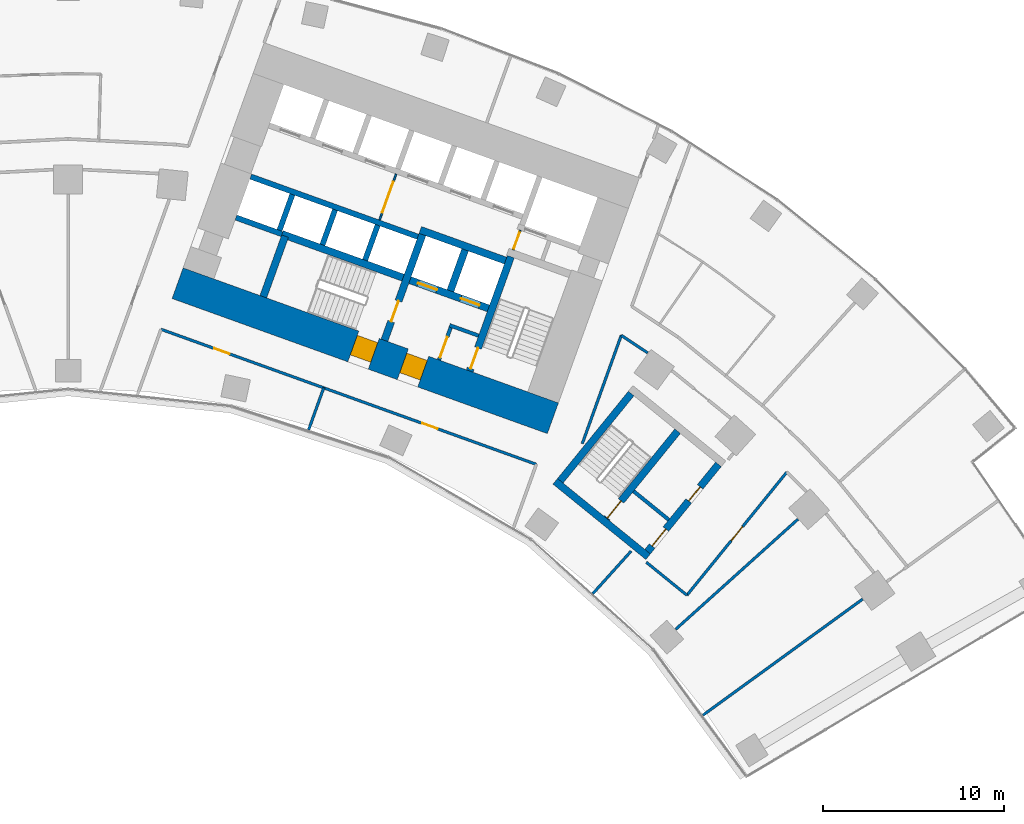
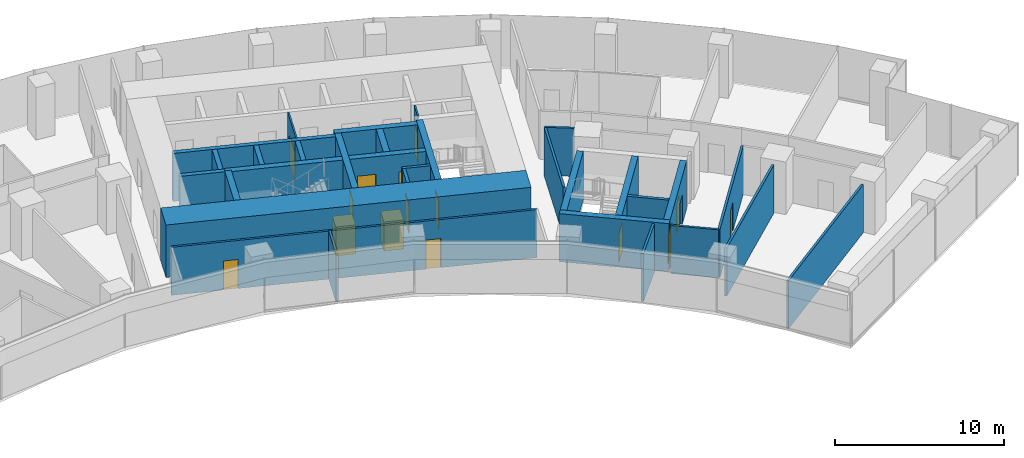
# One storey, part 17 of 21: 31 walls, 15 doors, 15 openings.
"""IFC4 building model written with IfcOpenShell, lengths in metres."""

from ifc_helpers import new_model, si_unit, direction, frame, frame_2d, origin, place, context, subcontext, project, spatial, rectangle, extrude, material, layer, layer_set, type_object, element, fill, save


model = new_model("IFC4")

# Units and contexts
model_context = context("Model", 3, precision=1e-05, world=origin(), true_north=direction((0.0, 1.0)))
body_context = subcontext(model_context, "Body", "Model", "MODEL_VIEW")
ifc_project = project(units=[si_unit("LENGTHUNIT", "METRE"), si_unit("AREAUNIT", "SQUARE_METRE"), si_unit("VOLUMEUNIT", "CUBIC_METRE"), si_unit("PLANEANGLEUNIT", "RADIAN"), si_unit("MASSUNIT", "GRAM", prefix="KILO")], contexts=[model_context])

# Site, building, storey
site_placement = place(None, origin())
site = spatial("IfcSite", under=ifc_project, at=site_placement, CompositionType="ELEMENT")
building_placement = place(site_placement, origin())
building = spatial("IfcBuilding", under=site, at=building_placement, Name="Stone Belt Terrace Tower", CompositionType="ELEMENT")
storey_placement = place(building_placement, frame((0.0, 0.0, 37.60009765625)))
storey = spatial("IfcBuildingStorey", under=building, at=storey_placement, Name="L08", CompositionType="ELEMENT", Elevation=37.60009765625)

# Wall, opening, door
ifc_material_1 = material(Name="Plasterboard partition")
ifc_layer_1 = layer(ifc_material_1, 0.10009765625)
ifc_layer_set_1 = layer_set([ifc_layer_1], Name="Core partition 100")
wall_type_1 = type_object("IfcWallType", Name="Core partition 100", PredefinedType="PARTITIONING", material=ifc_layer_set_1)
wall_1_placement = place(storey_placement, frame((24.555908203125, 51.10400390625, 0.0), z_axis=(0.0, 0.0, 1.0), x_axis=(0.338621735342, 0.94092258999, 0.0)))
wall_1 = element("IfcWall", 1, at=wall_1_placement, inside=storey, type_object=wall_type_1, Name="Core B wall", PredefinedType="PARTITIONING", context=body_context, shape_type="SweptSolid", body=[
    extrude(rectangle(XDim=1.14990234375, YDim=0.10009765625, at=frame_2d((0.574951171875, 0.0))), origin(), (0.0, 0.0, 1.0), 3.47998046875),
])
opening_1_placement = place(wall_1_placement, frame((0.050048828125, 0.0, 0.0)))
opening_1 = element("IfcOpeningElement", 2, at=opening_1_placement, cuts=wall_1, Name="Opening L08-C12", PredefinedType="OPENING", context=body_context, shape_type="SweptSolid", body=[
    extrude(rectangle(XDim=1.0, YDim=2.10009765625, at=frame_2d((0.5, 1.050048828125))), frame((0.0, 0.06005859375, 0.0), z_axis=(0.0, -1.0, 0.0), x_axis=(1.0, 0.0, 0.0)), (0.0, 0.0, 1.0), 0.1201171875),
])
ifc_material_2 = material(Name="Timber door leaf", Category="wood")
door_type_1 = type_object("IfcDoorType", Name="Core room door 1000", OperationType="SINGLE_SWING_LEFT", PredefinedType="DOOR", material=ifc_material_2)
door_1_placement = place(opening_1_placement, origin())
door_1 = element("IfcDoor", 3, at=door_1_placement, inside=storey, type_object=door_type_1, Name="Service lift lobby door core B", OperationType="SINGLE_SWING_RIGHT", OverallHeight=2.10009765625, OverallWidth=1.0, PredefinedType="DOOR", context=body_context, shape_type="SweptSolid", body=[
    extrude(rectangle(XDim=1.0, YDim=2.10009765625, at=frame_2d((0.5, 1.050048828125))), frame((0.0, 0.02490234375, 0.0), z_axis=(0.0, -1.0, 0.0), x_axis=(1.0, 0.0, 0.0)), (0.0, 0.0, 1.0), 0.050048828125),
])
fill(opening_1, door_1)

wall_2_placement = place(storey_placement, frame((17.17724609375, 52.749755859375, 0.0), z_axis=(0.0, 0.0, 1.0), x_axis=(0.338546555931, 0.940949642365, 0.0)))
wall_2 = element("IfcWall", 4, at=wall_2_placement, inside=storey, type_object=wall_type_1, Name="Core B wall", PredefinedType="PARTITIONING", context=body_context, shape_type="SweptSolid", body=[
    extrude(rectangle(XDim=2.699951171875, YDim=0.10009765625, at=frame_2d((1.35009765625, 0.0))), origin(), (0.0, 0.0, 1.0), 3.47998046875),
])
opening_2_placement = place(wall_2_placement, frame((0.449951171875, 0.0, 0.0)))
opening_2 = element("IfcOpeningElement", 5, at=opening_2_placement, cuts=wall_2, Name="Opening L08-C13", PredefinedType="OPENING", context=body_context, shape_type="SweptSolid", body=[
    extrude(rectangle(XDim=1.800048828125, YDim=2.10009765625, at=frame_2d((0.89990234375, 1.050048828125))), frame((0.0, 0.06005859375, 0.0), z_axis=(0.0, -1.0, 0.0), x_axis=(1.0, 0.0, 0.0)), (0.0, 0.0, 1.0), 0.1201171875),
])
ifc_material_3 = material(Name="Glazed aluminium door leaf", Category="aluminium")
door_type_2 = type_object("IfcDoorType", Name="Lift lobby entrance door 1800", OperationType="DOUBLE_DOOR_SINGLE_SWING", PredefinedType="DOOR", material=ifc_material_3)
door_2_placement = place(opening_2_placement, origin())
door_2 = element("IfcDoor", 6, at=door_2_placement, inside=storey, type_object=door_type_2, Name="Lift lobby double door core B", OperationType="DOUBLE_DOOR_SINGLE_SWING", OverallHeight=2.10009765625, OverallWidth=1.800048828125, PredefinedType="DOOR", context=body_context, shape_type="SweptSolid", body=[
    extrude(rectangle(XDim=1.800048828125, YDim=2.10009765625, at=frame_2d((0.89990234375, 1.050048828125))), frame((0.0, 0.02490234375, 0.0), z_axis=(0.0, -1.0, 0.0), x_axis=(1.0, 0.0, 0.0)), (0.0, 0.0, 1.0), 0.050048828125),
])
fill(opening_2, door_2)

# Wall, openings, doors
ifc_material_4 = material(Name="Concrete B80", Category="concrete")
ifc_layer_2 = layer(ifc_material_4, 1.800048828125)
ifc_layer_set_2 = layer_set([ifc_layer_2], Name="Core wall 1800 B80")
wall_type_2 = type_object("IfcWallType", Name="Core wall 1800 B80", PredefinedType="SHEAR", material=ifc_layer_set_2)
wall_3_placement = place(storey_placement, frame((6.039306640625, 49.265380859375, 0.0), z_axis=(0.0, 0.0, 1.0), x_axis=(0.940921642213, -0.338624368902, 0.0)))
wall_3 = element("IfcWall", 7, at=wall_3_placement, inside=storey, type_object=wall_type_2, Name="Core B wall concave L08", PredefinedType="SHEAR", context=body_context, shape_type="SweptSolid", body=[
    extrude(rectangle(XDim=22.0, YDim=1.800048828125, at=frame_2d((11.0, 0.0))), origin(), (0.0, 0.0, 1.0), 3.7998046875),
])
opening_3_placement = place(wall_3_placement, frame((13.199951171875, 0.0, 0.0)))
opening_3 = element("IfcOpeningElement", 8, at=opening_3_placement, cuts=wall_3, Name="Opening L08-C17", PredefinedType="OPENING", context=body_context, shape_type="SweptSolid", body=[
    extrude(rectangle(XDim=1.199951171875, YDim=2.10009765625, at=frame_2d((0.60009765625, 1.050048828125))), frame((0.0, 0.909912109375, 0.0), z_axis=(0.0, -1.0, 0.0), x_axis=(1.0, 0.0, 0.0)), (0.0, 0.0, 1.0), 1.820068359375),
])
opening_4_placement = place(wall_3_placement, frame((10.300048828125, 0.0, 0.0)))
opening_4 = element("IfcOpeningElement", 9, at=opening_4_placement, cuts=wall_3, Name="Opening L08-C19", PredefinedType="OPENING", context=body_context, shape_type="SweptSolid", body=[
    extrude(rectangle(XDim=1.199951171875, YDim=2.10009765625, at=frame_2d((0.60009765625, 1.050048828125))), frame((0.0, 0.909912109375, 0.0), z_axis=(0.0, -1.0, 0.0), x_axis=(1.0, 0.0, 0.0)), (0.0, 0.0, 1.0), 1.820068359375),
])
ifc_material_5 = material(Name="Steel door leaf", Category="steel")
door_type_3 = type_object("IfcDoorType", Name="Fire-fighting lobby door 1200", OperationType="SINGLE_SWING_LEFT", PredefinedType="DOOR", material=ifc_material_5)
door_3_placement = place(opening_3_placement, origin())
door_3 = element("IfcDoor", 10, at=door_3_placement, inside=storey, type_object=door_type_3, Name="Fire-fighting lobby door core B", OperationType="SINGLE_SWING_RIGHT", OverallHeight=2.10009765625, OverallWidth=1.199951171875, PredefinedType="DOOR", context=body_context, shape_type="SweptSolid", body=[
    extrude(rectangle(XDim=1.199951171875, YDim=2.10009765625, at=frame_2d((0.60009765625, 1.050048828125))), frame((0.0, 0.655029296875, 0.0), z_axis=(0.0, -1.0, 0.0), x_axis=(1.0, 0.0, 0.0)), (0.0, 0.0, 1.0), 1.14990234375),
])
fill(opening_3, door_3)
door_type_4 = type_object("IfcDoorType", Name="Stair door 1200", OperationType="SINGLE_SWING_LEFT", PredefinedType="DOOR", material=ifc_material_5)
door_4_placement = place(opening_4_placement, origin())
door_4 = element("IfcDoor", 11, at=door_4_placement, inside=storey, type_object=door_type_4, Name="Stair 2 exit door core B", OperationType="SINGLE_SWING_LEFT", OverallHeight=2.10009765625, OverallWidth=1.199951171875, PredefinedType="DOOR", context=body_context, shape_type="SweptSolid", body=[
    extrude(rectangle(XDim=1.199951171875, YDim=2.10009765625, at=frame_2d((0.60009765625, 1.050048828125))), frame((0.0, 0.655029296875, 0.0), z_axis=(0.0, -1.0, 0.0), x_axis=(1.0, 0.0, 0.0)), (0.0, 0.0, 1.0), 1.14990234375),
])
fill(opening_4, door_4)

# Walls
ifc_layer_3 = layer(ifc_material_4, 0.39990234375)
ifc_layer_set_3 = layer_set([ifc_layer_3], Name="Fire-fighting lift shaft wall 400")
wall_type_3 = type_object("IfcWallType", Name="Fire-fighting lift shaft wall 400", PredefinedType="SHEAR", material=ifc_layer_set_3)
wall_4_placement = place(storey_placement, frame((24.130615234375, 50.512939453125, 0.0), z_axis=(0.0, 0.0, 1.0), x_axis=(-0.94091168377, 0.338652038744, 0.0)))
element("IfcWall", 12, at=wall_4_placement, inside=storey, type_object=wall_type_3, Name="Core B wall", PredefinedType="SHEAR", context=body_context, shape_type="SweptSolid", body=[
    extrude(rectangle(XDim=5.000244140625, YDim=0.39990234375, at=frame_2d((2.5, 0.0))), origin(), (0.0, 0.0, 1.0), 3.47998046875),
])
wall_5_placement = place(storey_placement, frame((21.0859375, 48.845458984375, 0.0), z_axis=(0.0, 0.0, 1.0), x_axis=(0.338629416206, 0.940919825745, 0.0)))
element("IfcWall", 13, at=wall_5_placement, inside=storey, type_object=wall_type_3, Name="Core B wall", PredefinedType="SHEAR", context=body_context, shape_type="SweptSolid", body=[
    extrude(rectangle(XDim=2.400146484375, YDim=0.39990234375, at=frame_2d((1.2001953125, 0.0))), origin(), (0.0, 0.0, 1.0), 3.47998046875),
])
ifc_layer_4 = layer(ifc_material_4, 0.300048828125)
ifc_layer_set_4 = layer_set([ifc_layer_4], Name="Lift shaft wall 300")
wall_type_4 = type_object("IfcWallType", Name="Lift shaft wall 300", PredefinedType="SHEAR", material=ifc_layer_set_4)
wall_6_placement = place(storey_placement, frame((19.29052734375, 51.829833984375, 0.0), z_axis=(0.0, 0.0, 1.0), x_axis=(-0.940925833398, 0.338612722803, 0.0)))
element("IfcWall", 14, at=wall_6_placement, inside=storey, type_object=wall_type_4, Name="Core B wall", PredefinedType="SHEAR", context=body_context, shape_type="SweptSolid", body=[
    extrude(rectangle(XDim=9.7998046875, YDim=0.300048828125, at=frame_2d((4.89990234375, 0.0))), origin(), (0.0, 0.0, 1.0), 3.47998046875),
])
for number, where, z_axis, x_axis, name in (
    (15, (16.38134765625, 50.53857421875, 0.0), (0.0, 0.0, 1.0), (0.338681515556, 0.940901073982, 0.0), "Core B wall"),
    (16, (14.029052734375, 51.38525390625, 0.0), (0.0, 0.0, 1.0), (0.338681515556, 0.940901073982, 0.0), "Core B wall"),
):
    element("IfcWall", number, at=place(storey_placement, frame(where, z_axis=z_axis, x_axis=x_axis)), inside=storey, type_object=wall_type_4, Name=name, PredefinedType="SHEAR", context=body_context, shape_type="SweptSolid", body=[
        extrude(rectangle(XDim=2.050048828125, YDim=0.300048828125, at=frame_2d((1.02490234375, 0.0))), origin(), (0.0, 0.0, 1.0), 3.47998046875),
    ])
wall_7_placement = place(storey_placement, frame((11.797119140625, 51.975830078125, 0.0), z_axis=(0.0, 0.0, 1.0), x_axis=(-0.940910465161, 0.33865542451, 0.0)))
element("IfcWall", 17, at=wall_7_placement, inside=storey, type_object=wall_type_4, Name="Core B wall", PredefinedType="SHEAR", context=body_context, shape_type="SweptSolid", body=[
    extrude(rectangle(XDim=2.69970703125, YDim=0.300048828125, at=frame_2d((1.349853515625, 0.0))), origin(), (0.0, 0.0, 1.0), 3.47998046875),
])
wall_8_placement = place(storey_placement, frame((11.659912109375, 52.184814453125, 0.0), z_axis=(0.0, 0.0, 1.0), x_axis=(0.338670064856, 0.940905195634, 0.0)))
element("IfcWall", 18, at=wall_8_placement, inside=storey, type_object=wall_type_4, Name="Core B wall", PredefinedType="SHEAR", context=body_context, shape_type="SweptSolid", body=[
    extrude(rectangle(XDim=2.099853515625, YDim=0.300048828125, at=frame_2d((1.0498046875, 0.0))), origin(), (0.0, 0.0, 1.0), 3.47998046875),
])
ifc_material_6 = material(Name="Gypsum board partition")
ifc_layer_5 = layer(ifc_material_6, 0.14990234375)
ifc_layer_set_5 = layer_set([ifc_layer_5], Name="PARTITION 150 EI 60")
wall_type_5 = type_object("IfcWallType", Name="PARTITION 150 EI 60", PredefinedType="PARTITIONING", material=ifc_layer_set_5)
wall_9_placement = place(storey_placement, frame((30.512939453125, 46.39599609375, 0.0), z_axis=(0.0, 0.0, 1.0), x_axis=(-0.338588876135, -0.940934414801, 0.0)))
element("IfcWall", 19, at=wall_9_placement, inside=storey, type_object=wall_type_5, Name="L08/wall/i023", PredefinedType="PARTITIONING", context=body_context, shape_type="SweptSolid", body=[
    extrude(rectangle(XDim=6.35546875, YDim=0.14990234375, at=frame_2d((3.177734375, 0.0))), origin(), (0.0, 0.0, 1.0), 3.47998046875),
])
wall_10_placement = place(storey_placement, frame((31.054931640625, 34.489990234375, 0.0), z_axis=(0.0, 0.0, 1.0), x_axis=(-0.669118910745, -0.743155356089, 0.0)))
element("IfcWall", 20, at=wall_10_placement, inside=storey, type_object=wall_type_5, Name="L08/wall/i024", PredefinedType="PARTITIONING", context=body_context, shape_type="SweptSolid", body=[
    extrude(rectangle(XDim=3.149169921875, YDim=0.14990234375, at=frame_2d((1.57470703125, 0.0))), origin(), (0.0, 0.0, 1.0), 3.47998046875),
])

# Wall, opening, door
wall_11_placement = place(storey_placement, frame((14.10498046875, 43.492919921875, 0.0), z_axis=(0.0, 0.0, 1.0), x_axis=(-0.940907954382, 0.338662400306, 0.0)))
wall_11 = element("IfcWall", 21, at=wall_11_placement, inside=storey, type_object=wall_type_5, Name="L08/wall/i027", PredefinedType="PARTITIONING", context=body_context, shape_type="SweptSolid", body=[
    extrude(rectangle(XDim=9.5439453125, YDim=0.14990234375, at=frame_2d((4.77197265625, 0.0))), origin(), (0.0, 0.0, 1.0), 3.47998046875),
])
opening_5_placement = place(wall_11_placement, frame((5.528564453125, 0.0, 0.0)))
opening_5 = element("IfcOpeningElement", 22, at=opening_5_placement, cuts=wall_11, Name="Opening D-A1b-05", PredefinedType="OPENING", context=body_context, shape_type="SweptSolid", body=[
    extrude(rectangle(XDim=0.89990234375, YDim=2.10009765625, at=frame_2d((0.449951171875, 1.050048828125))), frame((0.0, 0.0849609375, 0.0), z_axis=(0.0, -1.0, 0.0), x_axis=(1.0, 0.0, 0.0)), (0.0, 0.0, 1.0), 0.169921875),
])
door_type_5 = type_object("IfcDoorType", Name="OFFICE DOOR 900 X 2100", OperationType="NOTDEFINED", PredefinedType="DOOR", material=ifc_material_2)
door_5_placement = place(opening_5_placement, origin())
door_5 = element("IfcDoor", 23, at=door_5_placement, inside=storey, type_object=door_type_5, Name="L08/door/i05", OperationType="SINGLE_SWING_RIGHT", OverallHeight=2.10009765625, OverallWidth=0.89990234375, PredefinedType="DOOR", context=body_context, shape_type="SweptSolid", body=[
    extrude(rectangle(XDim=0.89990234375, YDim=2.10009765625, at=frame_2d((0.449951171875, 1.050048828125))), frame((0.0, 0.02490234375, 0.0), z_axis=(0.0, -1.0, 0.0), x_axis=(1.0, 0.0, 0.0)), (0.0, 0.0, 1.0), 0.050048828125),
])
fill(opening_5, door_5)

wall_12_placement = place(storey_placement, frame((25.824951171875, 39.27490234375, 0.0), z_axis=(0.0, 0.0, 1.0), x_axis=(-0.940921354073, 0.338625169545, 0.0)))
wall_12 = element("IfcWall", 24, at=wall_12_placement, inside=storey, type_object=wall_type_5, Name="L08/wall/i028", PredefinedType="PARTITIONING", context=body_context, shape_type="SweptSolid", body=[
    extrude(rectangle(XDim=12.468505859375, YDim=0.14990234375, at=frame_2d((6.234375, 0.0))), origin(), (0.0, 0.0, 1.0), 3.47998046875),
])
opening_6_placement = place(wall_12_placement, frame((5.7841796875, 0.0, 0.0)))
opening_6 = element("IfcOpeningElement", 25, at=opening_6_placement, cuts=wall_12, Name="Opening D-A1b-06", PredefinedType="OPENING", context=body_context, shape_type="SweptSolid", body=[
    extrude(rectangle(XDim=0.89990234375, YDim=2.10009765625, at=frame_2d((0.449951171875, 1.050048828125))), frame((0.0, 0.0849609375, 0.0), z_axis=(0.0, -1.0, 0.0), x_axis=(1.0, 0.0, 0.0)), (0.0, 0.0, 1.0), 0.169921875),
])
door_6_placement = place(opening_6_placement, origin())
door_6 = element("IfcDoor", 26, at=door_6_placement, inside=storey, type_object=door_type_5, Name="L08/door/i06", OperationType="SINGLE_SWING_RIGHT", OverallHeight=2.10009765625, OverallWidth=0.89990234375, PredefinedType="DOOR", context=body_context, shape_type="SweptSolid", body=[
    extrude(rectangle(XDim=0.89990234375, YDim=2.10009765625, at=frame_2d((0.449951171875, 1.050048828125))), frame((0.0, 0.02490234375, 0.0), z_axis=(0.0, -1.0, 0.0), x_axis=(1.0, 0.0, 0.0)), (0.0, 0.0, 1.0), 0.050048828125),
])
fill(opening_6, door_6)

# Walls
wall_13_placement = place(storey_placement, frame((14.09912109375, 43.4951171875, 0.0), z_axis=(0.0, 0.0, 1.0), x_axis=(-0.338564995421, -0.940943007772, 0.0)))
element("IfcWall", 27, at=wall_13_placement, inside=storey, type_object=wall_type_5, Name="L08/wall/i029", PredefinedType="PARTITIONING", context=body_context, shape_type="SweptSolid", body=[
    extrude(rectangle(XDim=2.462646484375, YDim=0.14990234375, at=frame_2d((1.2314453125, 0.0))), origin(), (0.0, 0.0, 1.0), 3.47998046875),
])
wall_14_placement = place(storey_placement, frame((35.01953125, 25.44287109375, 0.0), z_axis=(0.0, 0.0, 1.0), x_axis=(0.80903281135, 0.587763481478, 0.0)))
element("IfcWall", 28, at=wall_14_placement, inside=storey, type_object=wall_type_5, Name="L08/wall/i055", PredefinedType="PARTITIONING", context=body_context, shape_type="SweptSolid", body=[
    extrude(rectangle(XDim=10.883544921875, YDim=0.14990234375, at=frame_2d((5.44189453125, 0.0))), origin(), (0.0, 0.0, 1.0), 3.47998046875),
])
wall_15_placement = place(storey_placement, frame((31.9736328125, 45.420166015625, 0.0), z_axis=(0.0, 0.0, 1.0), x_axis=(-0.833460186345, 0.552579512629, 0.0)))
element("IfcWall", 29, at=wall_15_placement, inside=storey, type_object=wall_type_5, Name="L08/wall/i058", PredefinedType="PARTITIONING", context=body_context, shape_type="SweptSolid", body=[
    extrude(rectangle(XDim=1.7548828125, YDim=0.14990234375, at=frame_2d((0.87744140625, 0.0))), origin(), (0.0, 0.0, 1.0), 3.47998046875),
])

# Wall, opening, door
wall_16_placement = place(storey_placement, frame((39.64599609375, 38.84912109375, 0.0), z_axis=(0.0, 0.0, 1.0), x_axis=(-0.630141823003, -0.776480059566, 0.0)))
wall_16 = element("IfcWall", 30, at=wall_16_placement, inside=storey, type_object=wall_type_5, Name="L08/wall/i069", PredefinedType="PARTITIONING", context=body_context, shape_type="SweptSolid", body=[
    extrude(rectangle(XDim=8.748779296875, YDim=0.14990234375, at=frame_2d((4.37451171875, 0.0))), origin(), (0.0, 0.0, 1.0), 3.47998046875),
])
opening_7_placement = place(wall_16_placement, frame((3.874267578125, 0.0, 0.0)))
opening_7 = element("IfcOpeningElement", 31, at=opening_7_placement, cuts=wall_16, Name="Opening D-A1b-19", PredefinedType="OPENING", context=body_context, shape_type="SweptSolid", body=[
    extrude(rectangle(XDim=1.0, YDim=2.10009765625, at=frame_2d((0.5, 1.050048828125))), frame((0.0, 0.0849609375, 0.0), z_axis=(0.0, -1.0, 0.0), x_axis=(1.0, 0.0, 0.0)), (0.0, 0.0, 1.0), 0.169921875),
])
ifc_material_7 = material(Name="Timber fire door leaf", Category="wood")
door_type_6 = type_object("IfcDoorType", Name="TENANCY ENTRANCE DOOR 1000 X 2100", OperationType="NOTDEFINED", PredefinedType="DOOR", material=ifc_material_7)
door_7_placement = place(opening_7_placement, origin())
door_7 = element("IfcDoor", 32, at=door_7_placement, inside=storey, type_object=door_type_6, Name="L08/door/i19", OperationType="SINGLE_SWING_RIGHT", OverallHeight=2.10009765625, OverallWidth=1.0, PredefinedType="DOOR", context=body_context, shape_type="SweptSolid", body=[
    extrude(rectangle(XDim=1.0, YDim=2.10009765625, at=frame_2d((0.5, 1.050048828125))), frame((0.0, 0.02490234375, 0.0), z_axis=(0.0, -1.0, 0.0), x_axis=(1.0, 0.0, 0.0)), (0.0, 0.0, 1.0), 0.050048828125),
])
fill(opening_7, door_7)

# Walls
wall_17_placement = place(storey_placement, frame((34.133056640625, 32.055908203125, 0.0), z_axis=(0.0, 0.0, 1.0), x_axis=(-0.776369956068, 0.630277471686, 0.0)))
element("IfcWall", 33, at=wall_17_placement, inside=storey, type_object=wall_type_5, Name="L08/wall/i070", PredefinedType="PARTITIONING", context=body_context, shape_type="SweptSolid", body=[
    extrude(rectangle(XDim=2.8876953125, YDim=0.14990234375, at=frame_2d((1.44384765625, 0.0))), origin(), (0.0, 0.0, 1.0), 3.47998046875),
])
wall_18_placement = place(storey_placement, frame((40.256103515625, 36.2470703125, 0.0), z_axis=(0.0, 0.0, 1.0), x_axis=(-0.743122805234, -0.669155061508, 0.0)))
element("IfcWall", 34, at=wall_18_placement, inside=storey, type_object=wall_type_5, Name="L08/wall/i071", PredefinedType="PARTITIONING", context=body_context, shape_type="SweptSolid", body=[
    extrude(rectangle(XDim=9.070068359375, YDim=0.14990234375, at=frame_2d((4.53515625, 0.0))), origin(), (0.0, 0.0, 1.0), 3.47998046875),
])
ifc_material_8 = material(Name="Concrete masonry block", Category="masonry")
ifc_layer_6 = layer(ifc_material_8, 0.199951171875)
ifc_layer_set_6 = layer_set([ifc_layer_6], Name="Rated lobby wall 200")
wall_type_6 = type_object("IfcWallType", Name="Rated lobby wall 200", PredefinedType="PARTITIONING", material=ifc_layer_set_6)
wall_19_placement = place(storey_placement, frame((22.640625, 46.373046875, 0.0), z_axis=(0.0, 0.0, 1.0), x_axis=(-0.940966110313, 0.338500781747, 0.0)))
element("IfcWall", 35, at=wall_19_placement, inside=storey, type_object=wall_type_6, Name="Core B wall", PredefinedType="PARTITIONING", context=body_context, shape_type="SweptSolid", body=[
    extrude(rectangle(XDim=1.699951171875, YDim=0.199951171875, at=frame_2d((0.85009765625, 0.0))), origin(), (0.0, 0.0, 1.0), 3.47998046875),
])

# Wall, opening, door
wall_20_placement = place(storey_placement, frame((20.4580078125, 45.032958984375, 0.0), z_axis=(0.0, 0.0, 1.0), x_axis=(0.338573865316, 0.940939816208, 0.0)))
wall_20 = element("IfcWall", 36, at=wall_20_placement, inside=storey, type_object=wall_type_6, Name="Core B wall", PredefinedType="PARTITIONING", context=body_context, shape_type="SweptSolid", body=[
    extrude(rectangle(XDim=1.900146484375, YDim=0.199951171875, at=frame_2d((0.9501953125, 0.0))), origin(), (0.0, 0.0, 1.0), 3.47998046875),
])
opening_8_placement = place(wall_20_placement, frame((0.14990234375, 0.0, 0.0)))
opening_8 = element("IfcOpeningElement", 37, at=opening_8_placement, cuts=wall_20, Name="Opening L08-C16", PredefinedType="OPENING", context=body_context, shape_type="SweptSolid", body=[
    extrude(rectangle(XDim=1.199951171875, YDim=2.10009765625, at=frame_2d((0.60009765625, 1.050048828125))), frame((0.0, 0.10986328125, 0.0), z_axis=(0.0, -1.0, 0.0), x_axis=(1.0, 0.0, 0.0)), (0.0, 0.0, 1.0), 0.219970703125),
])
door_8_placement = place(opening_8_placement, origin())
door_8 = element("IfcDoor", 38, at=door_8_placement, inside=storey, type_object=door_type_4, Name="Stair airlock door core B", OperationType="SINGLE_SWING_RIGHT", OverallHeight=2.10009765625, OverallWidth=1.199951171875, PredefinedType="DOOR", context=body_context, shape_type="SweptSolid", body=[
    extrude(rectangle(XDim=1.199951171875, YDim=2.10009765625, at=frame_2d((0.60009765625, 1.050048828125))), frame((0.0, 0.02490234375, 0.0), z_axis=(0.0, -1.0, 0.0), x_axis=(1.0, 0.0, 0.0)), (0.0, 0.0, 1.0), 0.050048828125),
])
fill(opening_8, door_8)

# Wall
wall_21_placement = place(storey_placement, frame((31.190673828125, 37.79296875, 0.0), z_axis=(0.0, 0.0, 1.0), x_axis=(0.776370830301, -0.630276394813, 0.0)))
element("IfcWall", 39, at=wall_21_placement, inside=storey, type_object=wall_type_6, Name="Exit stair ST3B wall", PredefinedType="PARTITIONING", context=body_context, shape_type="SweptSolid", body=[
    extrude(rectangle(XDim=2.5, YDim=0.199951171875, at=frame_2d((1.25, 0.0))), origin(), (0.0, 0.0, 1.0), 3.47998046875),
])

# Wall, opening, door
ifc_layer_7 = layer(ifc_material_4, 0.39990234375)
ifc_layer_set_7 = layer_set([ifc_layer_7], Name="Stair enclosure wall 400")
wall_type_7 = type_object("IfcWallType", Name="Stair enclosure wall 400", PredefinedType="SHEAR", material=ifc_layer_set_7)
wall_22_placement = place(storey_placement, frame((22.151611328125, 44.42333984375, 0.0), z_axis=(0.0, 0.0, 1.0), x_axis=(0.338625272931, 0.940921316866, 0.0)))
wall_22 = element("IfcWall", 40, at=wall_22_placement, inside=storey, type_object=wall_type_7, Name="Core B wall", PredefinedType="SHEAR", context=body_context, shape_type="SweptSolid", body=[
    extrude(rectangle(XDim=6.699951171875, YDim=0.39990234375, at=frame_2d((3.35009765625, 0.0))), origin(), (0.0, 0.0, 1.0), 3.47998046875),
])
opening_9_placement = place(wall_22_placement, frame((0.14990234375, 0.0, 0.0)))
opening_9 = element("IfcOpeningElement", 41, at=opening_9_placement, cuts=wall_22, Name="Opening L08-C15", PredefinedType="OPENING", context=body_context, shape_type="SweptSolid", body=[
    extrude(rectangle(XDim=1.199951171875, YDim=2.10009765625, at=frame_2d((0.60009765625, 1.050048828125))), frame((0.0, 0.2099609375, 0.0), z_axis=(0.0, -1.0, 0.0), x_axis=(1.0, 0.0, 0.0)), (0.0, 0.0, 1.0), 0.419921875),
])
door_9_placement = place(opening_9_placement, origin())
door_9 = element("IfcDoor", 42, at=door_9_placement, inside=storey, type_object=door_type_4, Name="Stair 1 door core B", OperationType="SINGLE_SWING_RIGHT", OverallHeight=2.10009765625, OverallWidth=1.199951171875, PredefinedType="DOOR", context=body_context, shape_type="SweptSolid", body=[
    extrude(rectangle(XDim=1.199951171875, YDim=2.10009765625, at=frame_2d((0.60009765625, 1.050048828125))), frame((0.0, 0.02490234375, 0.0), z_axis=(0.0, -1.0, 0.0), x_axis=(1.0, 0.0, 0.0)), (0.0, 0.0, 1.0), 0.050048828125),
])
fill(opening_9, door_9)

# Wall, openings, doors
wall_23_placement = place(storey_placement, frame((23.182373046875, 47.87841796875, 0.0), z_axis=(0.0, 0.0, 1.0), x_axis=(-0.940921101762, 0.338625870628, 0.0)))
wall_23 = element("IfcWall", 43, at=wall_23_placement, inside=storey, type_object=wall_type_7, Name="Core B wall", PredefinedType="SHEAR", context=body_context, shape_type="SweptSolid", body=[
    extrude(rectangle(XDim=12.10009765625, YDim=0.39990234375, at=frame_2d((6.050048828125, 0.0))), origin(), (0.0, 0.0, 1.0), 3.47998046875),
])
opening_10_placement = place(wall_23_placement, frame((0.52001953125, 0.0, 0.0)))
opening_10 = element("IfcOpeningElement", 44, at=opening_10_placement, cuts=wall_23, Name="Opening L08-LD16", PredefinedType="OPENING", context=body_context, shape_type="SweptSolid", body=[
    extrude(rectangle(XDim=1.10009765625, YDim=2.199951171875, at=frame_2d((0.550048828125, 1.10009765625))), frame((0.0, 0.2099609375, 0.0), z_axis=(0.0, -1.0, 0.0), x_axis=(1.0, 0.0, 0.0)), (0.0, 0.0, 1.0), 0.419921875),
])
opening_11_placement = place(wall_23_placement, frame((3.02001953125, 0.0, 0.0)))
opening_11 = element("IfcOpeningElement", 45, at=opening_11_placement, cuts=wall_23, Name="Opening L08-LD17", PredefinedType="OPENING", context=body_context, shape_type="SweptSolid", body=[
    extrude(rectangle(XDim=1.10009765625, YDim=2.199951171875, at=frame_2d((0.550048828125, 1.10009765625))), frame((0.0, 0.2099609375, 0.0), z_axis=(0.0, -1.0, 0.0), x_axis=(1.0, 0.0, 0.0)), (0.0, 0.0, 1.0), 0.419921875),
])
ifc_material_9 = material(Name="Stainless steel door leaf", Category="steel")
door_type_7 = type_object("IfcDoorType", Name="Landing door 1100", OperationType="SLIDING_TO_LEFT", PredefinedType="DOOR", material=ifc_material_9)
door_10_placement = place(opening_10_placement, origin())
door_10 = element("IfcDoor", 46, at=door_10_placement, inside=storey, type_object=door_type_7, Name="Landing door FF1 core B", OperationType="SLIDING_TO_LEFT", OverallHeight=2.199951171875, OverallWidth=1.10009765625, PredefinedType="DOOR", context=body_context, shape_type="SweptSolid", body=[
    extrude(rectangle(XDim=1.10009765625, YDim=2.199951171875, at=frame_2d((0.550048828125, 1.10009765625))), frame((0.0, 0.02490234375, 0.0), z_axis=(0.0, -1.0, 0.0), x_axis=(1.0, 0.0, 0.0)), (0.0, 0.0, 1.0), 0.050048828125),
])
fill(opening_10, door_10)
door_11_placement = place(opening_11_placement, origin())
door_11 = element("IfcDoor", 47, at=door_11_placement, inside=storey, type_object=door_type_7, Name="Landing door FF2 core B", OperationType="SLIDING_TO_LEFT", OverallHeight=2.199951171875, OverallWidth=1.10009765625, PredefinedType="DOOR", context=body_context, shape_type="SweptSolid", body=[
    extrude(rectangle(XDim=1.10009765625, YDim=2.199951171875, at=frame_2d((0.550048828125, 1.10009765625))), frame((0.0, 0.02490234375, 0.0), z_axis=(0.0, -1.0, 0.0), x_axis=(1.0, 0.0, 0.0)), (0.0, 0.0, 1.0), 0.050048828125),
])
fill(opening_11, door_11)

# Wall, opening, door
wall_24_placement = place(storey_placement, frame((17.447021484375, 46.116455078125, 0.0), z_axis=(0.0, 0.0, 1.0), x_axis=(0.33860791464, 0.940927563707, 0.0)))
wall_24 = element("IfcWall", 48, at=wall_24_placement, inside=storey, type_object=wall_type_7, Name="Core B wall", PredefinedType="SHEAR", context=body_context, shape_type="SweptSolid", body=[
    extrude(rectangle(XDim=6.199951171875, YDim=0.39990234375, at=frame_2d((3.10009765625, 0.0))), origin(), (0.0, 0.0, 1.0), 3.47998046875),
])
opening_12_placement = place(wall_24_placement, frame((1.10009765625, 0.0, 0.0)))
opening_12 = element("IfcOpeningElement", 49, at=opening_12_placement, cuts=wall_24, Name="Opening L08-C18", PredefinedType="OPENING", context=body_context, shape_type="SweptSolid", body=[
    extrude(rectangle(XDim=1.199951171875, YDim=2.10009765625, at=frame_2d((0.60009765625, 1.050048828125))), frame((0.0, 0.2099609375, 0.0), z_axis=(0.0, -1.0, 0.0), x_axis=(1.0, 0.0, 0.0)), (0.0, 0.0, 1.0), 0.419921875),
])
door_12_placement = place(opening_12_placement, origin())
door_12 = element("IfcDoor", 50, at=door_12_placement, inside=storey, type_object=door_type_4, Name="Stair 2 door core B", OperationType="SINGLE_SWING_RIGHT", OverallHeight=2.10009765625, OverallWidth=1.199951171875, PredefinedType="DOOR", context=body_context, shape_type="SweptSolid", body=[
    extrude(rectangle(XDim=1.199951171875, YDim=2.10009765625, at=frame_2d((0.60009765625, 1.050048828125))), frame((0.0, 0.02490234375, 0.0), z_axis=(0.0, -1.0, 0.0), x_axis=(1.0, 0.0, 0.0)), (0.0, 0.0, 1.0), 0.050048828125),
])
fill(opening_12, door_12)

# Walls
wall_25_placement = place(storey_placement, frame((10.766357421875, 48.520751953125, 0.0), z_axis=(0.0, 0.0, 1.0), x_axis=(0.338626928157, 0.94092072117, 0.0)))
element("IfcWall", 51, at=wall_25_placement, inside=storey, type_object=wall_type_7, Name="Core B wall", PredefinedType="SHEAR", context=body_context, shape_type="SweptSolid", body=[
    extrude(rectangle(XDim=3.550048828125, YDim=0.39990234375, at=frame_2d((1.77490234375, 0.0))), origin(), (0.0, 0.0, 1.0), 3.47998046875),
])
wall_26_placement = place(storey_placement, frame((26.868408203125, 38.3388671875, 0.0), z_axis=(0.0, 0.0, 1.0), x_axis=(0.776428452498, -0.630205409491, 0.0)))
element("IfcWall", 52, at=wall_26_placement, inside=storey, type_object=wall_type_7, Name="Exit stair ST3B wall", PredefinedType="SHEAR", context=body_context, shape_type="SweptSolid", body=[
    extrude(rectangle(XDim=6.60009765625, YDim=0.39990234375, at=frame_2d((3.300048828125, 0.0))), origin(), (0.0, 0.0, 1.0), 3.47998046875),
])
wall_27_placement = place(storey_placement, frame((27.149658203125, 38.3681640625, 0.0), z_axis=(0.0, 0.0, 1.0), x_axis=(0.630211551729, 0.776423466973, 0.0)))
element("IfcWall", 53, at=wall_27_placement, inside=storey, type_object=wall_type_7, Name="Exit stair ST3B wall", PredefinedType="SHEAR", context=body_context, shape_type="SweptSolid", body=[
    extrude(rectangle(XDim=6.199951171875, YDim=0.39990234375, at=frame_2d((3.10009765625, 0.0))), origin(), (0.0, 0.0, 1.0), 3.47998046875),
])

# Wall, openings, doors
wall_28_placement = place(storey_placement, frame((31.963623046875, 34.460693359375, 0.0), z_axis=(0.0, 0.0, 1.0), x_axis=(0.630192283849, 0.776439106033, 0.0)))
wall_28 = element("IfcWall", 54, at=wall_28_placement, inside=storey, type_object=wall_type_7, Name="Exit stair ST3B wall", PredefinedType="SHEAR", context=body_context, shape_type="SweptSolid", body=[
    extrude(rectangle(XDim=6.199951171875, YDim=0.39990234375, at=frame_2d((3.10009765625, 0.0))), origin(), (0.0, 0.0, 1.0), 3.47998046875),
])
opening_13_placement = place(wall_28_placement, frame((0.39990234375, 0.0, 0.0)))
opening_13 = element("IfcOpeningElement", 55, at=opening_13_placement, cuts=wall_28, Name="Opening L08-C25", PredefinedType="OPENING", context=body_context, shape_type="SweptSolid", body=[
    extrude(rectangle(XDim=1.199951171875, YDim=2.10009765625, at=frame_2d((0.60009765625, 1.050048828125))), frame((0.0, 0.2099609375, 0.0), z_axis=(0.0, -1.0, 0.0), x_axis=(1.0, 0.0, 0.0)), (0.0, 0.0, 1.0), 0.419921875),
])
opening_14_placement = place(wall_28_placement, frame((3.60009765625, 0.0, 0.0)))
opening_14 = element("IfcOpeningElement", 56, at=opening_14_placement, cuts=wall_28, Name="Opening L08-C26", PredefinedType="OPENING", context=body_context, shape_type="SweptSolid", body=[
    extrude(rectangle(XDim=1.0, YDim=2.10009765625, at=frame_2d((0.5, 1.050048828125))), frame((0.0, 0.2099609375, 0.0), z_axis=(0.0, -1.0, 0.0), x_axis=(1.0, 0.0, 0.0)), (0.0, 0.0, 1.0), 0.419921875),
])
door_13_placement = place(opening_14_placement, origin())
door_13 = element("IfcDoor", 57, at=door_13_placement, inside=storey, type_object=door_type_1, Name="Door to stair pressurisation plant room ST3B", OperationType="SINGLE_SWING_LEFT", OverallHeight=2.10009765625, OverallWidth=1.0, PredefinedType="DOOR", context=body_context, shape_type="SweptSolid", body=[
    extrude(rectangle(XDim=1.0, YDim=2.10009765625, at=frame_2d((0.5, 1.050048828125))), frame((0.0, 0.02490234375, 0.0), z_axis=(0.0, -1.0, 0.0), x_axis=(1.0, 0.0, 0.0)), (0.0, 0.0, 1.0), 0.050048828125),
])
fill(opening_14, door_13)
door_type_8 = type_object("IfcDoorType", Name="Stair airlock door 1200", OperationType="SINGLE_SWING_LEFT", PredefinedType="DOOR", material=ifc_material_5)
door_14_placement = place(opening_13_placement, origin())
door_14 = element("IfcDoor", 58, at=door_14_placement, inside=storey, type_object=door_type_8, Name="Stair airlock door ST3B", OperationType="SINGLE_SWING_LEFT", OverallHeight=2.10009765625, OverallWidth=1.199951171875, PredefinedType="DOOR", context=body_context, shape_type="SweptSolid", body=[
    extrude(rectangle(XDim=1.199951171875, YDim=2.10009765625, at=frame_2d((0.60009765625, 1.050048828125))), frame((0.0, 0.02490234375, 0.0), z_axis=(0.0, -1.0, 0.0), x_axis=(1.0, 0.0, 0.0)), (0.0, 0.0, 1.0), 0.050048828125),
])
fill(opening_13, door_14)

# Wall, opening, door
wall_29_placement = place(storey_placement, frame((29.7119140625, 36.288330078125, 0.0), z_axis=(0.0, 0.0, 1.0), x_axis=(0.630192283849, 0.776439106033, 0.0)))
wall_29 = element("IfcWall", 59, at=wall_29_placement, inside=storey, type_object=wall_type_7, Name="Exit stair ST3B wall", PredefinedType="SHEAR", context=body_context, shape_type="SweptSolid", body=[
    extrude(rectangle(XDim=6.199951171875, YDim=0.39990234375, at=frame_2d((3.10009765625, 0.0))), origin(), (0.0, 0.0, 1.0), 3.47998046875),
])
opening_15_placement = place(wall_29_placement, frame((0.050048828125, 0.0, 0.0)))
opening_15 = element("IfcOpeningElement", 60, at=opening_15_placement, cuts=wall_29, Name="Opening L08-C24", PredefinedType="OPENING", context=body_context, shape_type="SweptSolid", body=[
    extrude(rectangle(XDim=1.199951171875, YDim=2.10009765625, at=frame_2d((0.60009765625, 1.050048828125))), frame((0.0, 0.2099609375, 0.0), z_axis=(0.0, -1.0, 0.0), x_axis=(1.0, 0.0, 0.0)), (0.0, 0.0, 1.0), 0.419921875),
])
door_15_placement = place(opening_15_placement, origin())
door_15 = element("IfcDoor", 61, at=door_15_placement, inside=storey, type_object=door_type_4, Name="Stair door ST3B", OperationType="SINGLE_SWING_RIGHT", OverallHeight=2.10009765625, OverallWidth=1.199951171875, PredefinedType="DOOR", context=body_context, shape_type="SweptSolid", body=[
    extrude(rectangle(XDim=1.199951171875, YDim=2.10009765625, at=frame_2d((0.60009765625, 1.050048828125))), frame((0.0, 0.02490234375, 0.0), z_axis=(0.0, -1.0, 0.0), x_axis=(1.0, 0.0, 0.0)), (0.0, 0.0, 1.0), 0.050048828125),
])
fill(opening_15, door_15)

save(model, "model.ifc")
